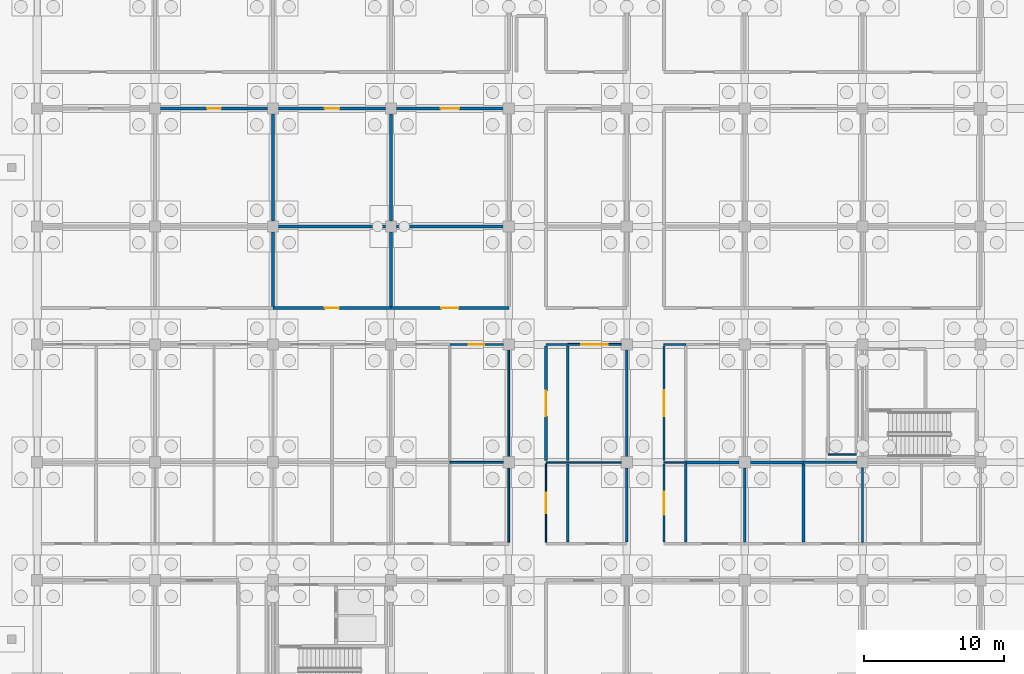
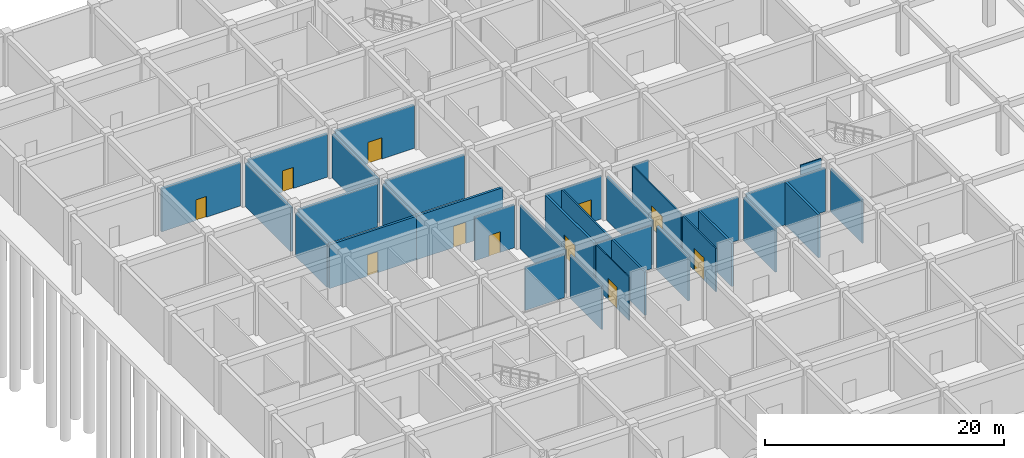
# One storey, part 37 of 65: 37 walls, 11 doors, 11 openings.
"""IFC4 building model written with IfcOpenShell, lengths in metres."""

from ifc_helpers import new_model, si_unit, direction, frame, frame_2d, origin, place, context, subcontext, project, spatial, rectangle, extrude, material, layer, layer_set, type_object, element, fill, save


model = new_model("IFC4")

# Units and contexts
model_context = context("Model", 3, precision=1e-05, world=origin(), true_north=direction((0.0, 1.0)))
body_context = subcontext(model_context, "Body", "Model", "MODEL_VIEW")
ifc_project = project(units=[si_unit("LENGTHUNIT", "METRE"), si_unit("AREAUNIT", "SQUARE_METRE"), si_unit("VOLUMEUNIT", "CUBIC_METRE"), si_unit("PLANEANGLEUNIT", "RADIAN"), si_unit("MASSUNIT", "GRAM", prefix="KILO")], contexts=[model_context])

# Site, building, storey
site_placement = place(None, origin())
site = spatial("IfcSite", under=ifc_project, at=site_placement, CompositionType="ELEMENT")
building_placement = place(site_placement, origin())
building = spatial("IfcBuilding", under=site, at=building_placement, Name="Bramfleet General Hospital", CompositionType="ELEMENT")
storey_placement = place(building_placement, frame((0.0, 0.0, -5.39990234375)))
storey = spatial("IfcBuildingStorey", under=building, at=storey_placement, Name="B1", CompositionType="ELEMENT", Elevation=-5.39990234375)

# Wall
ifc_material_1 = material(Name="Concrete C35/45", Category="concrete")
ifc_layer_1 = layer(ifc_material_1, 0.219970703125, Name="WT-IW-01")
ifc_layer_set_1 = layer_set([ifc_layer_1], Name="Concrete C35/45")
wall_type_1 = type_object("IfcWallType", Name="WT-IW-01", PredefinedType="PARTITIONING", material=ifc_layer_set_1)
wall_1_placement = place(storey_placement, frame((46.199951171875, 67.199951171875, 0.0), z_axis=(0.0, 0.0, 1.0), x_axis=(1.0, 0.0, 0.0)))
element("IfcWall", 1, at=wall_1_placement, inside=storey, type_object=wall_type_1, Name="B1 Interior Partition IW-B1-0193", PredefinedType="PARTITIONING", context=body_context, shape_type="SweptSolid", body=[
    extrude(rectangle(XDim=3.804931640625, YDim=0.219970703125, at=frame_2d((1.90234375, 0.0))), origin(), (0.0, 0.0, 1.0), 4.419921875),
])

# Wall, opening, door
wall_2_placement = place(storey_placement, frame((16.800048828125, 78.199951171875, 0.0), z_axis=(0.0, 0.0, 1.0), x_axis=(1.0, 0.0, 0.0)))
wall_2 = element("IfcWall", 2, at=wall_2_placement, inside=storey, type_object=wall_type_1, Name="B1 Interior Partition IW-B1-0225", PredefinedType="PARTITIONING", context=body_context, shape_type="SweptSolid", body=[
    extrude(rectangle(XDim=8.39990234375, YDim=0.219970703125, at=frame_2d((4.199951171875, 0.0))), origin(), (0.0, 0.0, 1.0), 4.469970703125),
])
opening_1_placement = place(wall_2_placement, frame((3.699951171875, 0.0, 0.0)))
opening_1 = element("IfcOpeningElement", 3, at=opening_1_placement, cuts=wall_2, Name="Opening D0232", PredefinedType="OPENING", context=body_context, shape_type="SweptSolid", body=[
    extrude(rectangle(XDim=1.0, YDim=2.14990234375, at=frame_2d((0.5, 1.074951171875))), frame((0.0, 0.119873046875, 0.0), z_axis=(0.0, -1.0, 0.0), x_axis=(1.0, 0.0, 0.0)), (0.0, 0.0, 1.0), 0.239990234375),
])
ifc_material_2 = material(Name="Stainless steel and acoustic timber leaf", Category="steel")
door_type_1 = type_object("IfcDoorType", Name="DR-D-08", OperationType="NOTDEFINED", PredefinedType="DOOR", material=ifc_material_2)
door_1_placement = place(opening_1_placement, origin())
door_1 = element("IfcDoor", 4, at=door_1_placement, inside=storey, type_object=door_type_1, Name="Central Sterile Supply Room B1-0209 Door D0232", OperationType="SINGLE_SWING_LEFT", OverallHeight=2.14990234375, OverallWidth=1.0, PredefinedType="DOOR", context=body_context, shape_type="SweptSolid", body=[
    extrude(rectangle(XDim=1.0, YDim=2.14990234375, at=frame_2d((0.5, 1.074951171875))), frame((0.0, 0.02490234375, 0.0), z_axis=(0.0, -1.0, 0.0), x_axis=(1.0, 0.0, 0.0)), (0.0, 0.0, 1.0), 0.050048828125),
])
fill(opening_1, door_1)

wall_3_placement = place(storey_placement, frame((25.199951171875, 78.199951171875, 0.0), z_axis=(0.0, 0.0, 1.0), x_axis=(1.0, 0.0, 0.0)))
wall_3 = element("IfcWall", 5, at=wall_3_placement, inside=storey, type_object=wall_type_1, Name="B1 Interior Partition IW-B1-0226", PredefinedType="PARTITIONING", context=body_context, shape_type="SweptSolid", body=[
    extrude(rectangle(XDim=8.400146484375, YDim=0.219970703125, at=frame_2d((4.2001953125, 0.0))), origin(), (0.0, 0.0, 1.0), 4.469970703125),
])
opening_2_placement = place(wall_3_placement, frame((3.590087890625, 0.0, 0.0)))
opening_2 = element("IfcOpeningElement", 6, at=opening_2_placement, cuts=wall_3, Name="Opening D0247", PredefinedType="OPENING", context=body_context, shape_type="SweptSolid", body=[
    extrude(rectangle(XDim=1.219970703125, YDim=2.179931640625, at=frame_2d((0.60986328125, 1.08984375))), frame((0.0, 0.119873046875, 0.0), z_axis=(0.0, -1.0, 0.0), x_axis=(1.0, 0.0, 0.0)), (0.0, 0.0, 1.0), 0.239990234375),
])
door_type_2 = type_object("IfcDoorType", Name="DR-D-23", OperationType="NOTDEFINED", PredefinedType="DOOR", material=ifc_material_2)
door_2_placement = place(opening_2_placement, origin())
door_2 = element("IfcDoor", 7, at=door_2_placement, inside=storey, type_object=door_type_2, Name="Central Sterile Supply Room B1-0309 Door D0247", OperationType="SINGLE_SWING_RIGHT", OverallHeight=2.179931640625, OverallWidth=1.219970703125, PredefinedType="DOOR", context=body_context, shape_type="SweptSolid", body=[
    extrude(rectangle(XDim=1.219970703125, YDim=2.179931640625, at=frame_2d((0.60986328125, 1.08984375))), frame((0.0, 0.02490234375, 0.0), z_axis=(0.0, -1.0, 0.0), x_axis=(1.0, 0.0, 0.0)), (0.0, 0.0, 1.0), 0.050048828125),
])
fill(opening_2, door_2)

# Walls
wall_4_placement = place(storey_placement, frame((17.195068359375, 84.0, 0.0), z_axis=(0.0, 0.0, 1.0), x_axis=(1.0, 0.0, 0.0)))
element("IfcWall", 8, at=wall_4_placement, inside=storey, type_object=wall_type_1, Name="B1 Interior Partition IW-B1-0236", PredefinedType="PARTITIONING", context=body_context, shape_type="SweptSolid", body=[
    extrude(rectangle(XDim=7.60986328125, YDim=0.219970703125, at=frame_2d((3.804931640625, 0.0))), origin(), (0.0, 0.0, 1.0), 4.419921875),
])
wall_5_placement = place(storey_placement, frame((25.594970703125, 84.0, 0.0), z_axis=(0.0, 0.0, 1.0), x_axis=(1.0, 0.0, 0.0)))
element("IfcWall", 9, at=wall_5_placement, inside=storey, type_object=wall_type_1, Name="B1 Interior Partition IW-B1-0237", PredefinedType="PARTITIONING", context=body_context, shape_type="SweptSolid", body=[
    extrude(rectangle(XDim=7.610107421875, YDim=0.219970703125, at=frame_2d((3.80517578125, 0.0))), origin(), (0.0, 0.0, 1.0), 4.419921875),
])

# Wall, opening, door
wall_6_placement = place(storey_placement, frame((8.794921875, 92.39990234375, 0.0), z_axis=(0.0, 0.0, 1.0), x_axis=(1.0, 0.0, 0.0)))
wall_6 = element("IfcWall", 10, at=wall_6_placement, inside=storey, type_object=wall_type_1, Name="B1 Interior Partition IW-B1-0254", PredefinedType="PARTITIONING", context=body_context, shape_type="SweptSolid", body=[
    extrude(rectangle(XDim=7.610107421875, YDim=0.219970703125, at=frame_2d((3.80517578125, 0.0))), origin(), (0.0, 0.0, 1.0), 4.419921875),
])
opening_3_placement = place(wall_6_placement, frame((3.31494140625, 0.0, 0.0)))
opening_3 = element("IfcOpeningElement", 11, at=opening_3_placement, cuts=wall_6, Name="Opening D0218", PredefinedType="OPENING", context=body_context, shape_type="SweptSolid", body=[
    extrude(rectangle(XDim=0.97998046875, YDim=2.1201171875, at=frame_2d((0.489990234375, 1.06005859375))), frame((0.0, 0.119873046875, 0.0), z_axis=(0.0, -1.0, 0.0), x_axis=(1.0, 0.0, 0.0)), (0.0, 0.0, 1.0), 0.239990234375),
])
door_type_3 = type_object("IfcDoorType", Name="DR-D-26", OperationType="NOTDEFINED", PredefinedType="DOOR", material=ifc_material_2)
door_3_placement = place(opening_3_placement, origin())
door_3 = element("IfcDoor", 12, at=door_3_placement, inside=storey, type_object=door_type_3, Name="Chiller and District Heating Plant B1-0110 Door D0218", OperationType="SINGLE_SWING_LEFT", OverallHeight=2.1201171875, OverallWidth=0.97998046875, PredefinedType="DOOR", context=body_context, shape_type="SweptSolid", body=[
    extrude(rectangle(XDim=0.97998046875, YDim=2.1201171875, at=frame_2d((0.489990234375, 1.06005859375))), frame((0.0, 0.02490234375, 0.0), z_axis=(0.0, -1.0, 0.0), x_axis=(1.0, 0.0, 0.0)), (0.0, 0.0, 1.0), 0.050048828125),
])
fill(opening_3, door_3)

wall_7_placement = place(storey_placement, frame((17.195068359375, 92.39990234375, 0.0), z_axis=(0.0, 0.0, 1.0), x_axis=(1.0, 0.0, 0.0)))
wall_7 = element("IfcWall", 13, at=wall_7_placement, inside=storey, type_object=wall_type_1, Name="B1 Interior Partition IW-B1-0255", PredefinedType="PARTITIONING", context=body_context, shape_type="SweptSolid", body=[
    extrude(rectangle(XDim=7.60986328125, YDim=0.219970703125, at=frame_2d((3.804931640625, 0.0))), origin(), (0.0, 0.0, 1.0), 4.419921875),
])
opening_4_placement = place(wall_7_placement, frame((3.280029296875, 0.0, 0.0)))
opening_4 = element("IfcOpeningElement", 14, at=opening_4_placement, cuts=wall_7, Name="Opening D0233", PredefinedType="OPENING", context=body_context, shape_type="SweptSolid", body=[
    extrude(rectangle(XDim=1.050048828125, YDim=2.14990234375, at=frame_2d((0.52490234375, 1.074951171875))), frame((0.0, 0.119873046875, 0.0), z_axis=(0.0, -1.0, 0.0), x_axis=(1.0, 0.0, 0.0)), (0.0, 0.0, 1.0), 0.239990234375),
])
door_type_4 = type_object("IfcDoorType", Name="DR-D-09", OperationType="NOTDEFINED", PredefinedType="DOOR", material=ifc_material_2)
door_4_placement = place(opening_4_placement, origin())
door_4 = element("IfcDoor", 15, at=door_4_placement, inside=storey, type_object=door_type_4, Name="Chiller and District Heating Plant B1-0210 Door D0233", OperationType="SINGLE_SWING_RIGHT", OverallHeight=2.14990234375, OverallWidth=1.050048828125, PredefinedType="DOOR", context=body_context, shape_type="SweptSolid", body=[
    extrude(rectangle(XDim=1.050048828125, YDim=2.14990234375, at=frame_2d((0.52490234375, 1.074951171875))), frame((0.0, 0.02490234375, 0.0), z_axis=(0.0, -1.0, 0.0), x_axis=(1.0, 0.0, 0.0)), (0.0, 0.0, 1.0), 0.050048828125),
])
fill(opening_4, door_4)

wall_8_placement = place(storey_placement, frame((25.594970703125, 92.39990234375, 0.0), z_axis=(0.0, 0.0, 1.0), x_axis=(1.0, 0.0, 0.0)))
wall_8 = element("IfcWall", 16, at=wall_8_placement, inside=storey, type_object=wall_type_1, Name="B1 Interior Partition IW-B1-0256", PredefinedType="PARTITIONING", context=body_context, shape_type="SweptSolid", body=[
    extrude(rectangle(XDim=7.610107421875, YDim=0.219970703125, at=frame_2d((3.80517578125, 0.0))), origin(), (0.0, 0.0, 1.0), 4.419921875),
])
opening_5_placement = place(wall_8_placement, frame((3.14501953125, 0.0, 0.0)))
opening_5 = element("IfcOpeningElement", 17, at=opening_5_placement, cuts=wall_8, Name="Opening D0248", PredefinedType="OPENING", context=body_context, shape_type="SweptSolid", body=[
    extrude(rectangle(XDim=1.320068359375, YDim=2.179931640625, at=frame_2d((0.66015625, 1.08984375))), frame((0.0, 0.119873046875, 0.0), z_axis=(0.0, -1.0, 0.0), x_axis=(1.0, 0.0, 0.0)), (0.0, 0.0, 1.0), 0.239990234375),
])
door_type_5 = type_object("IfcDoorType", Name="DR-D-24", OperationType="NOTDEFINED", PredefinedType="DOOR", material=ifc_material_2)
door_5_placement = place(opening_5_placement, origin())
door_5 = element("IfcDoor", 18, at=door_5_placement, inside=storey, type_object=door_type_5, Name="Chiller and District Heating Plant B1-0310 Door D0248", OperationType="SINGLE_SWING_LEFT", OverallHeight=2.179931640625, OverallWidth=1.320068359375, PredefinedType="DOOR", context=body_context, shape_type="SweptSolid", body=[
    extrude(rectangle(XDim=1.320068359375, YDim=2.179931640625, at=frame_2d((0.66015625, 1.08984375))), frame((0.0, 0.02490234375, 0.0), z_axis=(0.0, -1.0, 0.0), x_axis=(1.0, 0.0, 0.0)), (0.0, 0.0, 1.0), 0.050048828125),
])
fill(opening_5, door_5)

# Walls
wall_9_placement = place(storey_placement, frame((16.800048828125, 78.31494140625, 0.0), z_axis=(0.0, 0.0, 1.0), x_axis=(0.0, 1.0, 0.0)))
element("IfcWall", 19, at=wall_9_placement, inside=storey, type_object=wall_type_1, Name="B1 Interior Partition IW-B1-0356", PredefinedType="PARTITIONING", context=body_context, shape_type="SweptSolid", body=[
    extrude(rectangle(XDim=5.2900390625, YDim=0.219970703125, at=frame_2d((2.64501953125, 0.0))), origin(), (0.0, 0.0, 1.0), 4.469970703125),
])
wall_10_placement = place(storey_placement, frame((16.800048828125, 84.39501953125, 0.0), z_axis=(0.0, 0.0, 1.0), x_axis=(0.0, 1.0, 0.0)))
element("IfcWall", 20, at=wall_10_placement, inside=storey, type_object=wall_type_1, Name="B1 Interior Partition IW-B1-0357", PredefinedType="PARTITIONING", context=body_context, shape_type="SweptSolid", body=[
    extrude(rectangle(XDim=7.60986328125, YDim=0.219970703125, at=frame_2d((3.804931640625, 0.0))), origin(), (0.0, 0.0, 1.0), 4.469970703125),
])
wall_11_placement = place(storey_placement, frame((25.199951171875, 78.31494140625, 0.0), z_axis=(0.0, 0.0, 1.0), x_axis=(0.0, 1.0, 0.0)))
element("IfcWall", 21, at=wall_11_placement, inside=storey, type_object=wall_type_1, Name="B1 Interior Partition IW-B1-0376", PredefinedType="PARTITIONING", context=body_context, shape_type="SweptSolid", body=[
    extrude(rectangle(XDim=5.2900390625, YDim=0.219970703125, at=frame_2d((2.64501953125, 0.0))), origin(), (0.0, 0.0, 1.0), 4.469970703125),
])
wall_12_placement = place(storey_placement, frame((25.199951171875, 84.39501953125, 0.0), z_axis=(0.0, 0.0, 1.0), x_axis=(0.0, 1.0, 0.0)))
element("IfcWall", 22, at=wall_12_placement, inside=storey, type_object=wall_type_1, Name="B1 Interior Partition IW-B1-0377", PredefinedType="PARTITIONING", context=body_context, shape_type="SweptSolid", body=[
    extrude(rectangle(XDim=7.60986328125, YDim=0.219970703125, at=frame_2d((3.804931640625, 0.0))), origin(), (0.0, 0.0, 1.0), 4.469970703125),
])

# Wall, opening, door
wall_13_placement = place(storey_placement, frame((36.25, 67.31494140625, 0.0), z_axis=(0.0, 0.0, 1.0), x_axis=(0.0, 1.0, 0.0)))
wall_13 = element("IfcWall", 23, at=wall_13_placement, inside=storey, type_object=wall_type_1, Name="B1 Interior Partition IW-B1-0409", PredefinedType="PARTITIONING", context=body_context, shape_type="SweptSolid", body=[
    extrude(rectangle(XDim=8.170166015625, YDim=0.219970703125, at=frame_2d((4.0849609375, 0.0))), origin(), (0.0, 0.0, 1.0), 4.419921875),
])
opening_6_placement = place(wall_13_placement, frame((3.18505859375, 0.0, 0.0)))
opening_6 = element("IfcOpeningElement", 24, at=opening_6_placement, cuts=wall_13, Name="Opening D0261", PredefinedType="OPENING", context=body_context, shape_type="SweptSolid", body=[
    extrude(rectangle(XDim=1.800048828125, YDim=2.25, at=frame_2d((0.89990234375, 1.125))), frame((0.0, 0.119873046875, 0.0), z_axis=(0.0, -1.0, 0.0), x_axis=(1.0, 0.0, 0.0)), (0.0, 0.0, 1.0), 0.239990234375),
])
door_type_6 = type_object("IfcDoorType", Name="DR-D-05", OperationType="NOTDEFINED", PredefinedType="DOOR", material=ifc_material_2)
door_6_placement = place(opening_6_placement, origin())
door_6 = element("IfcDoor", 25, at=door_6_placement, inside=storey, type_object=door_type_6, Name="Clean Medical Supply Store B1-0408 Door D0261", OperationType="DOUBLE_SWING_RIGHT", OverallHeight=2.25, OverallWidth=1.800048828125, PredefinedType="DOOR", context=body_context, shape_type="SweptSolid", body=[
    extrude(rectangle(XDim=1.800048828125, YDim=2.25, at=frame_2d((0.89990234375, 1.125))), frame((0.0, 0.02490234375, 0.0), z_axis=(0.0, -1.0, 0.0), x_axis=(1.0, 0.0, 0.0)), (0.0, 0.0, 1.0), 0.050048828125),
])
fill(opening_6, door_6)

# Walls
wall_14_placement = place(storey_placement, frame((54.60009765625, 61.514892578125, 0.0), z_axis=(0.0, 0.0, 1.0), x_axis=(0.0, 1.0, 0.0)))
element("IfcWall", 26, at=wall_14_placement, inside=storey, type_object=wall_type_1, Name="B1 Interior Partition IW-B1-0457", PredefinedType="PARTITIONING", context=body_context, shape_type="SweptSolid", body=[
    extrude(rectangle(XDim=5.570068359375, YDim=0.219970703125, at=frame_2d((2.78515625, 0.0))), origin(), (0.0, 0.0, 1.0), 4.419921875),
])
ifc_layer_2 = layer(ifc_material_1, 0.205078125, Name="WT-IW-02")
ifc_layer_set_2 = layer_set([ifc_layer_2], Name="Concrete C35/45")
wall_type_2 = type_object("IfcWallType", Name="WT-IW-02", PredefinedType="PARTITIONING", material=ifc_layer_set_2)
wall_15_placement = place(storey_placement, frame((50.794921875, 67.199951171875, 0.0), z_axis=(0.0, 0.0, 1.0), x_axis=(1.0, 0.0, 0.0)))
element("IfcWall", 27, at=wall_15_placement, inside=storey, type_object=wall_type_2, Name="B1 Interior Partition IW-B1-0194", PredefinedType="PARTITIONING", context=body_context, shape_type="SweptSolid", body=[
    extrude(rectangle(XDim=3.80517578125, YDim=0.205078125, at=frame_2d((1.902587890625, 0.0))), origin(), (0.0, 0.0, 1.0), 4.419921875),
])
wall_16_placement = place(storey_placement, frame((42.0, 61.514892578125, 0.0), z_axis=(0.0, 0.0, 1.0), x_axis=(0.0, 1.0, 0.0)))
element("IfcWall", 28, at=wall_16_placement, inside=storey, type_object=wall_type_2, Name="B1 Interior Partition IW-B1-0422", PredefinedType="PARTITIONING", context=body_context, shape_type="SweptSolid", body=[
    extrude(rectangle(XDim=5.2900390625, YDim=0.205078125, at=frame_2d((2.64501953125, 0.0))), origin(), (0.0, 0.0, 1.0), 4.469970703125),
])
ifc_layer_3 = layer(ifc_material_1, 0.18994140625, Name="WT-IW-03")
ifc_layer_set_3 = layer_set([ifc_layer_3], Name="Concrete C35/45")
wall_type_3 = type_object("IfcWallType", Name="WT-IW-03", PredefinedType="PARTITIONING", material=ifc_layer_set_3)
wall_17_placement = place(storey_placement, frame((54.60009765625, 67.199951171875, 0.0), z_axis=(0.0, 0.0, 1.0), x_axis=(1.0, 0.0, 0.0)))
element("IfcWall", 29, at=wall_17_placement, inside=storey, type_object=wall_type_3, Name="B1 Interior Partition IW-B1-0195", PredefinedType="PARTITIONING", context=body_context, shape_type="SweptSolid", body=[
    extrude(rectangle(XDim=3.804931640625, YDim=0.18994140625, at=frame_2d((1.90234375, 0.0))), origin(), (0.0, 0.0, 1.0), 4.419921875),
])
wall_18_placement = place(storey_placement, frame((42.0, 67.594970703125, 0.0), z_axis=(0.0, 0.0, 1.0), x_axis=(0.0, 1.0, 0.0)))
element("IfcWall", 30, at=wall_18_placement, inside=storey, type_object=wall_type_3, Name="B1 Interior Partition IW-B1-0423", PredefinedType="PARTITIONING", context=body_context, shape_type="SweptSolid", body=[
    extrude(rectangle(XDim=7.610107421875, YDim=0.18994140625, at=frame_2d((3.80517578125, 0.0))), origin(), (0.0, 0.0, 1.0), 4.469970703125),
])
wall_19_placement = place(storey_placement, frame((46.199951171875, 61.514892578125, 0.0), z_axis=(0.0, 0.0, 1.0), x_axis=(0.0, 1.0, 0.0)))
element("IfcWall", 31, at=wall_19_placement, inside=storey, type_object=wall_type_3, Name="B1 Interior Partition IW-B1-0435", PredefinedType="PARTITIONING", context=body_context, shape_type="SweptSolid", body=[
    extrude(rectangle(XDim=5.570068359375, YDim=0.18994140625, at=frame_2d((2.78515625, 0.0))), origin(), (0.0, 0.0, 1.0), 4.419921875),
])
ifc_material_3 = material(Name="Gypsum plasterboard on acoustic steel studs", Category="steel")
ifc_layer_4 = layer(ifc_material_3, 0.169921875, Name="WT-IW-05")
ifc_layer_set_4 = layer_set([ifc_layer_4], Name="Gypsum plasterboard on acoustic steel studs")
wall_type_4 = type_object("IfcWallType", Name="WT-IW-05", PredefinedType="PARTITIONING", material=ifc_layer_set_4)
wall_20_placement = place(storey_placement, frame((37.800048828125, 61.514892578125, 0.0), z_axis=(0.0, 0.0, 1.0), x_axis=(0.0, 1.0, 0.0)))
element("IfcWall", 32, at=wall_20_placement, inside=storey, type_object=wall_type_4, Name="B1 Interior Partition IW-B1-0413", PredefinedType="PARTITIONING", context=body_context, shape_type="SweptSolid", body=[
    extrude(rectangle(XDim=5.570068359375, YDim=0.169921875, at=frame_2d((2.78515625, 0.0))), origin(), (0.0, 0.0, 1.0), 4.419921875),
])

# Wall, opening, door
ifc_layer_5 = layer(ifc_material_3, 0.159912109375, Name="WT-IW-06")
ifc_layer_set_5 = layer_set([ifc_layer_5], Name="Gypsum plasterboard on acoustic steel studs")
wall_type_5 = type_object("IfcWallType", Name="WT-IW-06", PredefinedType="PARTITIONING", material=ifc_layer_set_5)
wall_21_placement = place(storey_placement, frame((29.39990234375, 75.60009765625, 0.0), z_axis=(0.0, 0.0, 1.0), x_axis=(1.0, 0.0, 0.0)))
wall_21 = element("IfcWall", 33, at=wall_21_placement, inside=storey, type_object=wall_type_5, Name="B1 Interior Partition IW-B1-0210", PredefinedType="PARTITIONING", context=body_context, shape_type="SweptSolid", body=[
    extrude(rectangle(XDim=3.80517578125, YDim=0.159912109375, at=frame_2d((1.902587890625, 0.0))), origin(), (0.0, 0.0, 1.0), 4.419921875),
])
opening_7_placement = place(wall_21_placement, frame((1.362548828125, 0.0, 0.0)))
opening_7 = element("IfcOpeningElement", 34, at=opening_7_placement, cuts=wall_21, Name="Opening D0246", PredefinedType="OPENING", context=body_context, shape_type="SweptSolid", body=[
    extrude(rectangle(XDim=1.080078125, YDim=2.1201171875, at=frame_2d((0.5400390625, 1.06005859375))), frame((0.0, 0.08984375, 0.0), z_axis=(0.0, -1.0, 0.0), x_axis=(1.0, 0.0, 0.0)), (0.0, 0.0, 1.0), 0.179931640625),
])
door_type_7 = type_object("IfcDoorType", Name="DR-D-22", OperationType="NOTDEFINED", PredefinedType="DOOR", material=ifc_material_2)
door_7_placement = place(opening_7_placement, origin())
door_7 = element("IfcDoor", 35, at=door_7_placement, inside=storey, type_object=door_type_7, Name="Clinical Engineering Workshop B1-0308 Door D0246", OperationType="SINGLE_SWING_LEFT", OverallHeight=2.1201171875, OverallWidth=1.080078125, PredefinedType="DOOR", context=body_context, shape_type="SweptSolid", body=[
    extrude(rectangle(XDim=1.080078125, YDim=2.1201171875, at=frame_2d((0.5400390625, 1.06005859375))), frame((0.0, 0.02490234375, 0.0), z_axis=(0.0, -1.0, 0.0), x_axis=(1.0, 0.0, 0.0)), (0.0, 0.0, 1.0), 0.050048828125),
])
fill(opening_7, door_7)

# Walls
wall_22_placement = place(storey_placement, frame((37.800048828125, 67.31494140625, 0.0), z_axis=(0.0, 0.0, 1.0), x_axis=(0.0, 1.0, 0.0)))
element("IfcWall", 36, at=wall_22_placement, inside=storey, type_object=wall_type_5, Name="B1 Interior Partition IW-B1-0414", PredefinedType="PARTITIONING", context=body_context, shape_type="SweptSolid", body=[
    extrude(rectangle(XDim=8.170166015625, YDim=0.159912109375, at=frame_2d((4.0849609375, 0.0))), origin(), (0.0, 0.0, 1.0), 4.419921875),
])
wall_23_placement = place(storey_placement, frame((50.39990234375, 61.514892578125, 0.0), z_axis=(0.0, 0.0, 1.0), x_axis=(0.0, 1.0, 0.0)))
element("IfcWall", 37, at=wall_23_placement, inside=storey, type_object=wall_type_5, Name="B1 Interior Partition IW-B1-0450", PredefinedType="PARTITIONING", context=body_context, shape_type="SweptSolid", body=[
    extrude(rectangle(XDim=5.2900390625, YDim=0.159912109375, at=frame_2d((2.64501953125, 0.0))), origin(), (0.0, 0.0, 1.0), 4.469970703125),
])
ifc_layer_6 = layer(ifc_material_3, 0.14990234375, Name="WT-IW-07")
ifc_layer_set_6 = layer_set([ifc_layer_6], Name="Gypsum plasterboard on acoustic steel studs")
wall_type_6 = type_object("IfcWallType", Name="WT-IW-07", PredefinedType="PARTITIONING", material=ifc_layer_set_6)
wall_24_placement = place(storey_placement, frame((36.25, 75.60009765625, 0.0), z_axis=(0.0, 0.0, 1.0), x_axis=(1.0, 0.0, 0.0)))
element("IfcWall", 38, at=wall_24_placement, inside=storey, type_object=wall_type_6, Name="B1 Interior Partition IW-B1-0211", PredefinedType="PARTITIONING", context=body_context, shape_type="SweptSolid", body=[
    extrude(rectangle(XDim=1.550048828125, YDim=0.14990234375, at=frame_2d((0.77490234375, 0.0))), origin(), (0.0, 0.0, 1.0), 4.419921875),
])

# Wall, opening, door
ifc_layer_7 = layer(ifc_material_3, 0.139892578125, Name="WT-IW-08")
ifc_layer_set_7 = layer_set([ifc_layer_7], Name="Gypsum plasterboard on acoustic steel studs")
wall_type_7 = type_object("IfcWallType", Name="WT-IW-08", PredefinedType="PARTITIONING", material=ifc_layer_set_7)
wall_25_placement = place(storey_placement, frame((37.800048828125, 75.60009765625, 0.0), z_axis=(0.0, 0.0, 1.0), x_axis=(1.0, 0.0, 0.0)))
wall_25 = element("IfcWall", 39, at=wall_25_placement, inside=storey, type_object=wall_type_7, Name="B1 Interior Partition IW-B1-0212", PredefinedType="PARTITIONING", context=body_context, shape_type="SweptSolid", body=[
    extrude(rectangle(XDim=3.804931640625, YDim=0.139892578125, at=frame_2d((1.90234375, 0.0))), origin(), (0.0, 0.0, 1.0), 4.419921875),
])
opening_8_placement = place(wall_25_placement, frame((0.952392578125, 0.0, 0.0)))
opening_8 = element("IfcOpeningElement", 40, at=opening_8_placement, cuts=wall_25, Name="Opening D0262", PredefinedType="OPENING", context=body_context, shape_type="SweptSolid", body=[
    extrude(rectangle(XDim=1.89990234375, YDim=2.300048828125, at=frame_2d((0.949951171875, 1.14990234375))), frame((0.0, 0.079833984375, 0.0), z_axis=(0.0, -1.0, 0.0), x_axis=(1.0, 0.0, 0.0)), (0.0, 0.0, 1.0), 0.159912109375),
])
door_type_8 = type_object("IfcDoorType", Name="DR-D-06", OperationType="NOTDEFINED", PredefinedType="DOOR", material=ifc_material_2)
door_8_placement = place(opening_8_placement, origin())
door_8 = element("IfcDoor", 41, at=door_8_placement, inside=storey, type_object=door_type_8, Name="Clinical Engineering Workshop B1-0408 Door D0262", OperationType="DOUBLE_SWING_LEFT", OverallHeight=2.300048828125, OverallWidth=1.89990234375, PredefinedType="DOOR", context=body_context, shape_type="SweptSolid", body=[
    extrude(rectangle(XDim=1.89990234375, YDim=2.300048828125, at=frame_2d((0.949951171875, 1.14990234375))), frame((0.0, 0.02490234375, 0.0), z_axis=(0.0, -1.0, 0.0), x_axis=(1.0, 0.0, 0.0)), (0.0, 0.0, 1.0), 0.050048828125),
])
fill(opening_8, door_8)

wall_26_placement = place(storey_placement, frame((44.64990234375, 61.514892578125, 0.0), z_axis=(0.0, 0.0, 1.0), x_axis=(0.0, 1.0, 0.0)))
wall_26 = element("IfcWall", 42, at=wall_26_placement, inside=storey, type_object=wall_type_7, Name="B1 Interior Partition IW-B1-0428", PredefinedType="PARTITIONING", context=body_context, shape_type="SweptSolid", body=[
    extrude(rectangle(XDim=5.570068359375, YDim=0.139892578125, at=frame_2d((2.78515625, 0.0))), origin(), (0.0, 0.0, 1.0), 4.419921875),
])
opening_9_placement = place(wall_26_placement, frame((1.965087890625, 0.0, 0.0)))
opening_9 = element("IfcOpeningElement", 43, at=opening_9_placement, cuts=wall_26, Name="Opening D0274", PredefinedType="OPENING", context=body_context, shape_type="SweptSolid", body=[
    extrude(rectangle(XDim=1.639892578125, YDim=2.280029296875, at=frame_2d((0.81982421875, 1.14013671875))), frame((0.0, 0.079833984375, 0.0), z_axis=(0.0, -1.0, 0.0), x_axis=(1.0, 0.0, 0.0)), (0.0, 0.0, 1.0), 0.159912109375),
])
door_type_9 = type_object("IfcDoorType", Name="DR-D-18", OperationType="NOTDEFINED", PredefinedType="DOOR", material=ifc_material_2)
door_9_placement = place(opening_9_placement, origin())
door_9 = element("IfcDoor", 44, at=door_9_placement, inside=storey, type_object=door_type_9, Name="Clean Medical Supply Store B1-0507 Door D0274", OperationType="DOUBLE_SWING_LEFT", OverallHeight=2.280029296875, OverallWidth=1.639892578125, PredefinedType="DOOR", context=body_context, shape_type="SweptSolid", body=[
    extrude(rectangle(XDim=1.639892578125, YDim=2.280029296875, at=frame_2d((0.81982421875, 1.14013671875))), frame((0.0, 0.02490234375, 0.0), z_axis=(0.0, -1.0, 0.0), x_axis=(1.0, 0.0, 0.0)), (0.0, 0.0, 1.0), 0.050048828125),
])
fill(opening_9, door_9)

# Walls
ifc_layer_8 = layer(ifc_material_3, 0.1298828125, Name="WT-IW-09")
ifc_layer_set_8 = layer_set([ifc_layer_8], Name="Gypsum plasterboard on acoustic steel studs")
wall_type_8 = type_object("IfcWallType", Name="WT-IW-09", PredefinedType="PARTITIONING", material=ifc_layer_set_8)
wall_27_placement = place(storey_placement, frame((29.39990234375, 67.199951171875, 0.0), z_axis=(0.0, 0.0, 1.0), x_axis=(1.0, 0.0, 0.0)))
element("IfcWall", 45, at=wall_27_placement, inside=storey, type_object=wall_type_8, Name="B1 Interior Partition IW-B1-0189", PredefinedType="PARTITIONING", context=body_context, shape_type="SweptSolid", body=[
    extrude(rectangle(XDim=3.80517578125, YDim=0.1298828125, at=frame_2d((1.902587890625, 0.0))), origin(), (0.0, 0.0, 1.0), 4.419921875),
])
wall_28_placement = place(storey_placement, frame((44.64990234375, 75.60009765625, 0.0), z_axis=(0.0, 0.0, 1.0), x_axis=(1.0, 0.0, 0.0)))
element("IfcWall", 46, at=wall_28_placement, inside=storey, type_object=wall_type_8, Name="B1 Interior Partition IW-B1-0213", PredefinedType="PARTITIONING", context=body_context, shape_type="SweptSolid", body=[
    extrude(rectangle(XDim=1.550048828125, YDim=0.1298828125, at=frame_2d((0.77490234375, 0.0))), origin(), (0.0, 0.0, 1.0), 4.419921875),
])
wall_29_placement = place(storey_placement, frame((33.60009765625, 61.514892578125, 0.0), z_axis=(0.0, 0.0, 1.0), x_axis=(0.0, 1.0, 0.0)))
element("IfcWall", 47, at=wall_29_placement, inside=storey, type_object=wall_type_8, Name="B1 Interior Partition IW-B1-0393", PredefinedType="PARTITIONING", context=body_context, shape_type="SweptSolid", body=[
    extrude(rectangle(XDim=5.2900390625, YDim=0.1298828125, at=frame_2d((2.64501953125, 0.0))), origin(), (0.0, 0.0, 1.0), 4.469970703125),
])

# Wall, opening, door
wall_30_placement = place(storey_placement, frame((44.64990234375, 67.31494140625, 0.0), z_axis=(0.0, 0.0, 1.0), x_axis=(0.0, 1.0, 0.0)))
wall_30 = element("IfcWall", 48, at=wall_30_placement, inside=storey, type_object=wall_type_8, Name="B1 Interior Partition IW-B1-0429", PredefinedType="PARTITIONING", context=body_context, shape_type="SweptSolid", body=[
    extrude(rectangle(XDim=8.170166015625, YDim=0.1298828125, at=frame_2d((4.0849609375, 0.0))), origin(), (0.0, 0.0, 1.0), 4.419921875),
])
opening_10_placement = place(wall_30_placement, frame((3.1650390625, 0.0, 0.0)))
opening_10 = element("IfcOpeningElement", 49, at=opening_10_placement, cuts=wall_30, Name="Opening D0276", PredefinedType="OPENING", context=body_context, shape_type="SweptSolid", body=[
    extrude(rectangle(XDim=1.840087890625, YDim=2.280029296875, at=frame_2d((0.919921875, 1.14013671875))), frame((0.0, 0.074951171875, 0.0), z_axis=(0.0, -1.0, 0.0), x_axis=(1.0, 0.0, 0.0)), (0.0, 0.0, 1.0), 0.14990234375),
])
door_type_10 = type_object("IfcDoorType", Name="DR-D-20", OperationType="NOTDEFINED", PredefinedType="DOOR", material=ifc_material_2)
door_10_placement = place(opening_10_placement, origin())
door_10 = element("IfcDoor", 50, at=door_10_placement, inside=storey, type_object=door_type_10, Name="Clean Medical Supply Store B1-0508 Door D0276", OperationType="DOUBLE_SWING_LEFT", OverallHeight=2.280029296875, OverallWidth=1.840087890625, PredefinedType="DOOR", context=body_context, shape_type="SweptSolid", body=[
    extrude(rectangle(XDim=1.840087890625, YDim=2.280029296875, at=frame_2d((0.919921875, 1.14013671875))), frame((0.0, 0.02490234375, 0.0), z_axis=(0.0, -1.0, 0.0), x_axis=(1.0, 0.0, 0.0)), (0.0, 0.0, 1.0), 0.050048828125),
])
fill(opening_10, door_10)

# Walls
ifc_layer_9 = layer(ifc_material_3, 0.1201171875, Name="WT-IW-10")
ifc_layer_set_9 = layer_set([ifc_layer_9], Name="Gypsum plasterboard on acoustic steel studs")
wall_type_9 = type_object("IfcWallType", Name="WT-IW-10", PredefinedType="PARTITIONING", material=ifc_layer_set_9)
wall_31_placement = place(storey_placement, frame((36.25, 67.199951171875, 0.0), z_axis=(0.0, 0.0, 1.0), x_axis=(1.0, 0.0, 0.0)))
element("IfcWall", 51, at=wall_31_placement, inside=storey, type_object=wall_type_9, Name="B1 Interior Partition IW-B1-0190", PredefinedType="PARTITIONING", context=body_context, shape_type="SweptSolid", body=[
    extrude(rectangle(XDim=1.550048828125, YDim=0.1201171875, at=frame_2d((0.77490234375, 0.0))), origin(), (0.0, 0.0, 1.0), 4.419921875),
])
wall_32_placement = place(storey_placement, frame((56.35009765625, 67.75, 0.0), z_axis=(0.0, 0.0, 1.0), x_axis=(1.0, 0.0, 0.0)))
element("IfcWall", 52, at=wall_32_placement, inside=storey, type_object=wall_type_9, Name="B1 Interior Partition IW-B1-0202", PredefinedType="PARTITIONING", context=body_context, shape_type="SweptSolid", body=[
    extrude(rectangle(XDim=2.0, YDim=0.1201171875, at=frame_2d((1.0, 0.0))), origin(), (0.0, 0.0, 1.0), 5.06982421875),
])
wall_33_placement = place(storey_placement, frame((33.60009765625, 67.594970703125, 0.0), z_axis=(0.0, 0.0, 1.0), x_axis=(0.0, 1.0, 0.0)))
element("IfcWall", 53, at=wall_33_placement, inside=storey, type_object=wall_type_9, Name="B1 Interior Partition IW-B1-0394", PredefinedType="PARTITIONING", context=body_context, shape_type="SweptSolid", body=[
    extrude(rectangle(XDim=7.610107421875, YDim=0.1201171875, at=frame_2d((3.80517578125, 0.0))), origin(), (0.0, 0.0, 1.0), 4.469970703125),
])
wall_34_placement = place(storey_placement, frame((58.800048828125, 61.514892578125, 0.0), z_axis=(0.0, 0.0, 1.0), x_axis=(0.0, 1.0, 0.0)))
element("IfcWall", 54, at=wall_34_placement, inside=storey, type_object=wall_type_9, Name="B1 Interior Partition IW-B1-0466", PredefinedType="PARTITIONING", context=body_context, shape_type="SweptSolid", body=[
    extrude(rectangle(XDim=5.2900390625, YDim=0.1201171875, at=frame_2d((2.64501953125, 0.0))), origin(), (0.0, 0.0, 1.0), 4.469970703125),
])
ifc_layer_10 = layer(ifc_material_3, 0.112060546875, Name="WT-IW-11")
ifc_layer_set_10 = layer_set([ifc_layer_10], Name="Gypsum plasterboard on acoustic steel studs")
wall_type_10 = type_object("IfcWallType", Name="WT-IW-11", PredefinedType="PARTITIONING", material=ifc_layer_set_10)
wall_35_placement = place(storey_placement, frame((37.800048828125, 67.199951171875, 0.0), z_axis=(0.0, 0.0, 1.0), x_axis=(1.0, 0.0, 0.0)))
element("IfcWall", 55, at=wall_35_placement, inside=storey, type_object=wall_type_10, Name="B1 Interior Partition IW-B1-0191", PredefinedType="PARTITIONING", context=body_context, shape_type="SweptSolid", body=[
    extrude(rectangle(XDim=3.804931640625, YDim=0.112060546875, at=frame_2d((1.90234375, 0.0))), origin(), (0.0, 0.0, 1.0), 4.419921875),
])
ifc_layer_11 = layer(ifc_material_3, 0.10009765625, Name="WT-IW-12")
ifc_layer_set_11 = layer_set([ifc_layer_11], Name="Gypsum plasterboard on acoustic steel studs")
wall_type_11 = type_object("IfcWallType", Name="WT-IW-12", PredefinedType="PARTITIONING", material=ifc_layer_set_11)
wall_36_placement = place(storey_placement, frame((44.64990234375, 67.199951171875, 0.0), z_axis=(0.0, 0.0, 1.0), x_axis=(1.0, 0.0, 0.0)))
element("IfcWall", 56, at=wall_36_placement, inside=storey, type_object=wall_type_11, Name="B1 Interior Partition IW-B1-0192", PredefinedType="PARTITIONING", context=body_context, shape_type="SweptSolid", body=[
    extrude(rectangle(XDim=1.550048828125, YDim=0.10009765625, at=frame_2d((0.77490234375, 0.0))), origin(), (0.0, 0.0, 1.0), 4.419921875),
])

# Wall, opening, door
wall_37_placement = place(storey_placement, frame((36.25, 61.514892578125, 0.0), z_axis=(0.0, 0.0, 1.0), x_axis=(0.0, 1.0, 0.0)))
wall_37 = element("IfcWall", 57, at=wall_37_placement, inside=storey, type_object=wall_type_11, Name="B1 Interior Partition IW-B1-0408", PredefinedType="PARTITIONING", context=body_context, shape_type="SweptSolid", body=[
    extrude(rectangle(XDim=5.570068359375, YDim=0.10009765625, at=frame_2d((2.78515625, 0.0))), origin(), (0.0, 0.0, 1.0), 4.419921875),
])
opening_11_placement = place(wall_37_placement, frame((2.06005859375, 0.0, 0.0)))
opening_11 = element("IfcOpeningElement", 58, at=opening_11_placement, cuts=wall_37, Name="Opening D0259", PredefinedType="OPENING", context=body_context, shape_type="SweptSolid", body=[
    extrude(rectangle(XDim=1.449951171875, YDim=2.199951171875, at=frame_2d((0.72509765625, 1.10009765625))), frame((0.0, 0.06005859375, 0.0), z_axis=(0.0, -1.0, 0.0), x_axis=(1.0, 0.0, 0.0)), (0.0, 0.0, 1.0), 0.1201171875),
])
door_type_11 = type_object("IfcDoorType", Name="DR-D-03", OperationType="NOTDEFINED", PredefinedType="DOOR", material=ifc_material_2)
door_11_placement = place(opening_11_placement, origin())
door_11 = element("IfcDoor", 59, at=door_11_placement, inside=storey, type_object=door_type_11, Name="Clean Medical Supply Store B1-0407 Door D0259", OperationType="SINGLE_SWING_RIGHT", OverallHeight=2.199951171875, OverallWidth=1.449951171875, PredefinedType="DOOR", context=body_context, shape_type="SweptSolid", body=[
    extrude(rectangle(XDim=1.449951171875, YDim=2.199951171875, at=frame_2d((0.72509765625, 1.10009765625))), frame((0.0, 0.02490234375, 0.0), z_axis=(0.0, -1.0, 0.0), x_axis=(1.0, 0.0, 0.0)), (0.0, 0.0, 1.0), 0.050048828125),
])
fill(opening_11, door_11)

save(model, "model.ifc")
